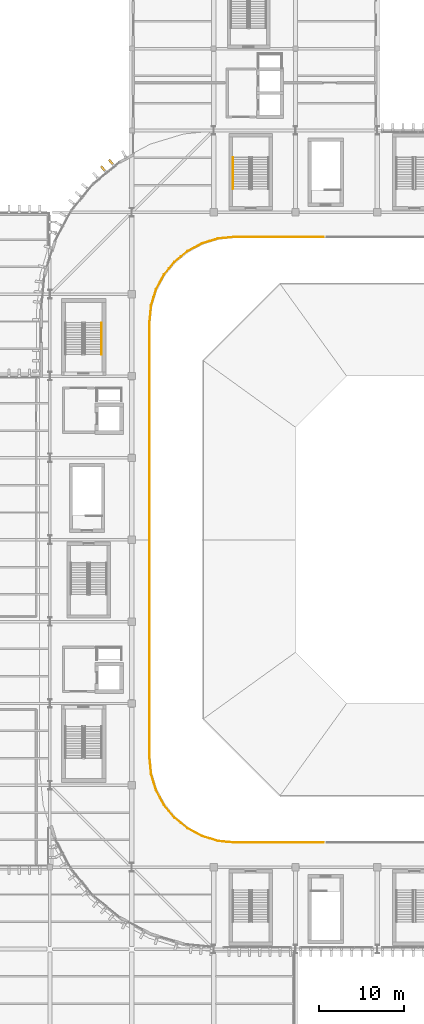
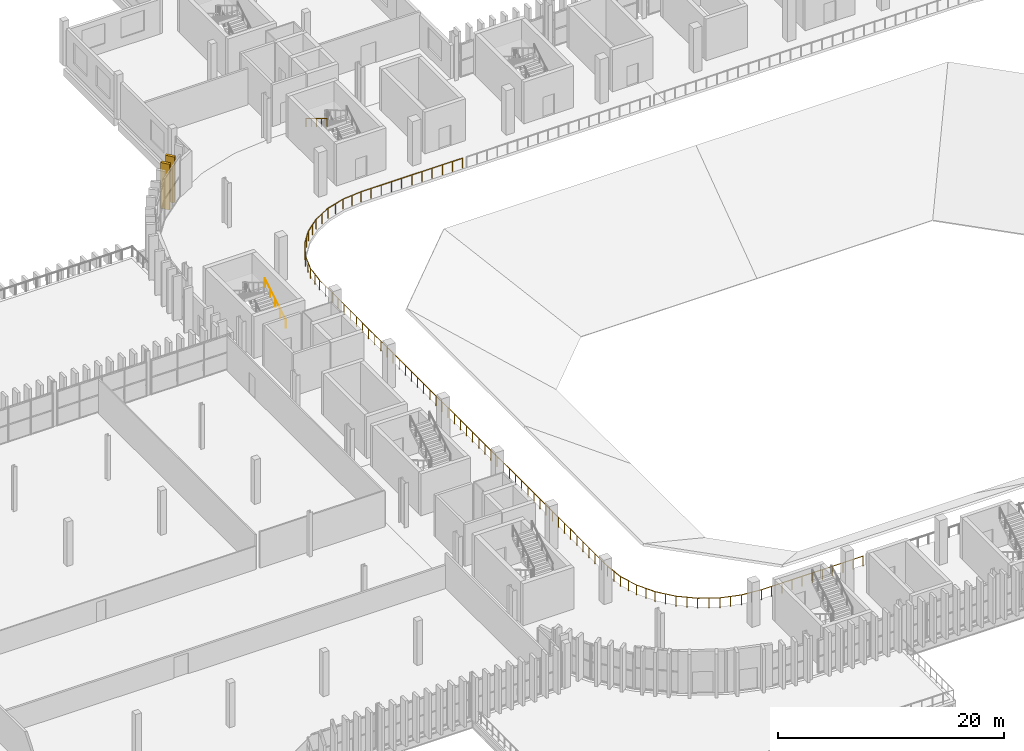
# One storey, part 87 of 99: 3 railings, 2 coverings.
"""IFC4 building model written with IfcOpenShell, lengths in metres."""

import ifcopenshell
import ifcopenshell.guid

model = None  # the IFC model being written
_history = None  # IfcOwnerHistory: only IFC2X3 demands one
_inside = {}  # id of a spatial element -> (the spatial element, [elements in it])
_under = {}  # id of a project, library or spatial element -> (it, [spatial elements below it])
_declared = {}  # id of a project -> (the project, [libraries it declares])
_typed = {}  # id of a type object -> (the type object, [elements of that type])
_made_of = {}  # id of a material, layer set ... -> (it, [elements and type objects made of it])


def new_model(schema):
    """Start an empty IFC model of exactly this schema.

    Asked for "IFC4X3", IfcOpenShell would pick the latest addendum, in which some entities
    have other attributes; the version numbers below select the first issue.
    IFC2X3 requires an IfcOwnerHistory on every rooted entity: one is made here for all.
    """
    global model, _history
    if schema == "IFC4X3":
        model = ifcopenshell.file(schema_version=(4, 3, 0, 0))
    else:
        model = ifcopenshell.file(schema=schema)
    _inside.clear()
    _under.clear()
    _declared.clear()
    _typed.clear()
    _made_of.clear()
    _history = None
    if model.schema == "IFC2X3":
        org = make("IfcOrganization", Name="unknown")
        user = make(
            "IfcPersonAndOrganization",
            ThePerson=make("IfcPerson", FamilyName="unknown"),
            TheOrganization=org,
        )
        app = make(
            "IfcApplication",
            ApplicationDeveloper=org,
            Version="unknown",
            ApplicationFullName="unknown",
            ApplicationIdentifier="unknown",
        )
        _history = make(
            "IfcOwnerHistory",
            OwningUser=user,
            OwningApplication=app,
            ChangeAction="ADDED",
            CreationDate=0,
        )
    return model


def make(cls, **values):
    """One entity of the class cls with the attributes given. An attribute that is None is left unset."""
    return model.create_entity(
        cls, **{name: value for name, value in values.items() if value is not None}
    )


def rooted(cls, **values):
    """An entity with a GlobalId (a new one), such as an element, a storey or a relation."""
    return make(cls, GlobalId=ifcopenshell.guid.new(), OwnerHistory=_history, **values)


def si_unit(unit_type, name, prefix=None):
    """IfcSIUnit, for example si_unit("LENGTHUNIT", "METRE", prefix="MILLI")."""
    return make("IfcSIUnit", UnitType=unit_type, Prefix=prefix, Name=name)


def assignment(units):
    """IfcUnitAssignment: the units of a project."""
    return None if units is None else make("IfcUnitAssignment", Units=units)


def point(xyz):
    """IfcCartesianPoint."""
    return None if xyz is None else make("IfcCartesianPoint", Coordinates=xyz)


def direction(xyz):
    """IfcDirection."""
    return None if xyz is None else make("IfcDirection", DirectionRatios=xyz)


def frame(location, z_axis=None, x_axis=None):
    """IfcAxis2Placement3D, a coordinate frame: its origin and axes. An axis left out is left unset."""
    return make(
        "IfcAxis2Placement3D",
        Location=point(location),
        Axis=direction(z_axis),
        RefDirection=direction(x_axis),
    )


def frame_2d(location, x_axis=None):
    """IfcAxis2Placement2D, a coordinate frame in the plane: its origin and x axis."""
    return make(
        "IfcAxis2Placement2D", Location=point(location), RefDirection=direction(x_axis)
    )


def origin():
    """The frame at (0, 0, 0) with its axes left unset."""
    return frame((0.0, 0.0, 0.0))


def origin_2d():
    """The frame at (0, 0) in the plane with its x axis left unset."""
    return frame_2d((0.0, 0.0))


def place(relative_to, where):
    """IfcLocalPlacement: puts the frame where relative to a parent placement (None: the world)."""
    return make(
        "IfcLocalPlacement", PlacementRelTo=relative_to, RelativePlacement=where
    )


def context(
    kind, dimensions, precision=None, world=None, true_north=None, identifier=None
):
    """IfcGeometricRepresentationContext, for example the 3D "Model" context."""
    return make(
        "IfcGeometricRepresentationContext",
        ContextIdentifier=identifier,
        ContextType=kind,
        CoordinateSpaceDimension=dimensions,
        Precision=precision,
        WorldCoordinateSystem=world,
        TrueNorth=true_north,
    )


def subcontext(parent, identifier, kind, view, scale=None):
    """IfcGeometricRepresentationSubContext, for example "Body" below "Model"."""
    return make(
        "IfcGeometricRepresentationSubContext",
        ContextIdentifier=identifier,
        ContextType=kind,
        ParentContext=parent,
        TargetScale=scale,
        TargetView=view,
    )


def project(units=None, contexts=None):
    """IfcProject with its units and contexts."""
    return rooted(
        "IfcProject",
        Name="project",
        RepresentationContexts=contexts,
        UnitsInContext=assignment(units),
    )


def spatial(cls, under=None, at=None, **own):
    """A site, building, storey or space (cls), placed at a placement, below another one or the project."""
    s = rooted(cls, ObjectPlacement=at, **own)
    if under is not None:
        _under.setdefault(under.id(), (under, []))[1].append(s)
    return s


def profile(cls, at=None, kind="AREA", **sizes):
    """A parametric profile (cls). Its sizes go by their IFC names, for example OverallWidth=200.0."""
    return make(cls, ProfileType=kind, Position=at, **sizes)


def rectangle(**sizes):
    """IfcRectangleProfileDef."""
    return profile("IfcRectangleProfileDef", **sizes)


def circle(**sizes):
    """IfcCircleProfileDef."""
    return profile("IfcCircleProfileDef", **sizes)


def extrude(swept, where, along, depth):
    """IfcExtrudedAreaSolid: the profile swept, set in the frame where, extruded along a direction by depth."""
    return make(
        "IfcExtrudedAreaSolid",
        SweptArea=swept,
        Position=where,
        ExtrudedDirection=direction(along),
        Depth=depth,
    )


def shape(context_of_items, identifier, shape_type, items):
    """IfcShapeRepresentation: the items that make up one representation, for example the "Body"."""
    return make(
        "IfcShapeRepresentation",
        ContextOfItems=context_of_items,
        RepresentationIdentifier=identifier,
        RepresentationType=shape_type,
        Items=items,
    )


def material(Name=None, Category=None):
    """IfcMaterial."""
    return make("IfcMaterial", Name=Name, Category=Category)


def material_profile(
    of_material, cross_section, Name=None, Category=None, Priority=None
):
    """IfcMaterialProfile: a cross section and its material."""
    return make(
        "IfcMaterialProfile",
        Name=Name,
        Material=of_material,
        Profile=cross_section,
        Priority=Priority,
        Category=Category,
    )


def profile_set(profiles, Name=None, composite=None):
    """IfcMaterialProfileSet."""
    return make(
        "IfcMaterialProfileSet",
        Name=Name,
        MaterialProfiles=profiles,
        CompositeProfile=composite,
    )


def made_of(thing, what):
    """Note that an element or type object is made of a material, layer set ...; save() writes the relation."""
    if what is not None:
        _made_of.setdefault(what.id(), (what, []))[1].append(thing)
    return thing


def type_object(cls, material=None, **own):
    """A type object (cls), such as IfcWallType, which elements share."""
    return made_of(rooted(cls, **own), material)


def element(
    cls,
    number,
    at=None,
    inside=None,
    cuts=None,
    type_object=None,
    material=None,
    context=None,
    identifier="Body",
    shape_type=None,
    held_by="IfcProductDefinitionShape",
    body=None,
    shapes=None,
    **own,
):
    """One element of the class cls, such as IfcWall. Its Tag is "e" and its number.

    at: its placement. inside: the storey or other place that contains it. cuts: it is an
    opening in that element (IfcRelVoidsElement). A single representation is given by context,
    identifier, shape_type and body (its items); several are given by shapes. held_by: the class
    of the entity that holds the representations. save() writes the other relations.
    """
    e = rooted(cls, Tag="e%d" % number, ObjectPlacement=at, **own)
    if body is not None:
        shapes = [shape(context, identifier, shape_type, body)]
    if shapes is not None:
        e.Representation = make(held_by, Representations=shapes)
    if inside is not None:
        _inside.setdefault(inside.id(), (inside, []))[1].append(e)
    if cuts is not None:
        rooted(
            "IfcRelVoidsElement", RelatingBuildingElement=cuts, RelatedOpeningElement=e
        )
    if type_object is not None:
        _typed.setdefault(type_object.id(), (type_object, []))[1].append(e)
    return made_of(e, material)


def aggregate(whole, parts):
    """IfcRelAggregates: a whole, such as a stair, and the parts it consists of."""
    return rooted("IfcRelAggregates", RelatingObject=whole, RelatedObjects=parts)


def save(model, path):
    """Write the relations noted so far, then the file.

    IfcRelAggregates (storeys below a building ...), IfcRelContainedInSpatialStructure (elements
    in a storey), IfcRelDefinesByType, IfcRelAssociatesMaterial and IfcRelDeclares: one each for
    every whole, place, type object, material and project.
    """
    for whole, parts in _under.values():
        aggregate(whole, parts)
    for where, things in _inside.values():
        rooted(
            "IfcRelContainedInSpatialStructure",
            RelatedElements=things,
            RelatingStructure=where,
        )
    for kind, things in _typed.values():
        rooted("IfcRelDefinesByType", RelatedObjects=things, RelatingType=kind)
    for what, things in _made_of.values():
        rooted("IfcRelAssociatesMaterial", RelatedObjects=things, RelatingMaterial=what)
    for by, libraries in _declared.values():
        rooted("IfcRelDeclares", RelatingContext=by, RelatedDefinitions=libraries)
    model.write(path)


model = new_model("IFC4")

# Units and contexts
model_context = context("Model", 3, precision=1e-05, world=origin(), true_north=direction((0.0, 1.0)))
body_context = subcontext(model_context, "Body", "Model", "MODEL_VIEW")
ifc_project = project(units=[si_unit("LENGTHUNIT", "METRE"), si_unit("AREAUNIT", "SQUARE_METRE"), si_unit("VOLUMEUNIT", "CUBIC_METRE"), si_unit("PLANEANGLEUNIT", "RADIAN"), si_unit("MASSUNIT", "GRAM", prefix="KILO")], contexts=[model_context])

# Site, building, storey
site_placement = place(None, origin())
site = spatial("IfcSite", under=ifc_project, at=site_placement, CompositionType="ELEMENT")
building_placement = place(site_placement, origin())
building = spatial("IfcBuilding", under=site, at=building_placement, Name="Caelomonte Colonnade Arena", CompositionType="ELEMENT")
storey_placement = place(building_placement, frame((0.0, 0.0, 4.800048828125)))
storey = spatial("IfcBuildingStorey", under=building, at=storey_placement, Name="L01", CompositionType="ELEMENT", Elevation=4.800048828125)

# Coverings
ifc_material_1 = material(Name="Precast travertine cladding", Category="masonry")
ifc_material_profile = material_profile(ifc_material_1, rectangle(XDim=0.260009765625, YDim=0.85009765625, at=origin_2d()), Name="FIN260X850")
ifc_profile_set = profile_set([ifc_material_profile], Name="Precast travertine cladding")
covering_type = type_object("IfcCoveringType", Name="ENV-FN-SHAFT", PredefinedType="CLADDING", material=ifc_profile_set)
for number, where, z_axis, x_axis, name in (
    (1, (64.802490234375, 111.44189453125, -0.16015625), (0.0, 0.0, 1.0), (0.77299384472, 0.634413521313, 0.0), "V1 L01 classical travertine vertical fin 156"),
    (2, (63.874755859375, 110.680419921875, -0.16015625), (0.0, 0.0, 1.0), (0.77299384472, 0.634413521313, 0.0), "V1 L01 classical travertine vertical fin 157"),
):
    element("IfcCovering", number, at=place(storey_placement, frame(where, z_axis=z_axis, x_axis=x_axis)), inside=storey, type_object=covering_type, Name=name, PredefinedType="CLADDING", context=body_context, shape_type="SweptSolid", body=[
        extrude(rectangle(XDim=0.260009765625, YDim=0.85009765625, at=origin_2d()), origin(), (0.0, 0.0, 1.0), 4.960205078125),
    ])

# Railings
ifc_material_2 = material(Name="Painted galvanized steel handrail and posts", Category="steel")
railing_type_1 = type_object("IfcRailingType", Name="ENV-RL-GRD1", PredefinedType="GUARDRAIL", material=ifc_material_2)
railing_1_placement = place(storey_placement, frame((89.693115234375, 102.719970703125, 0.0)))
element("IfcRailing", 3, at=railing_1_placement, inside=storey, type_object=railing_type_1, Name="L01 lower concourse bowl guard 3", PredefinedType="GUARDRAIL", context=body_context, shape_type="SweptSolid", body=[
    extrude(circle(Radius=0.02392578125, at=origin_2d()), frame((0.0, 0.0, 1.076171875), z_axis=(-1.0, 0.0, 0.0), x_axis=(0.0, -1.0, 0.0)), (0.0, 0.0, 1.0), 10.3818359375),
    extrude(circle(Radius=0.02392578125, at=origin_2d()), frame((-10.444091796875, -0.003173828125, 1.076171875), z_axis=(-0.995185270943, -0.098011614095, 0.0), x_axis=(0.098011614095, -0.995185270943, 0.0)), (0.0, 0.0, 1.0), 1.89794921875),
    extrude(circle(Radius=0.02392578125, at=origin_2d()), frame((-12.39404296875, -0.201171875, 1.076171875), z_axis=(-0.956937426882, -0.290294266276, 0.0), x_axis=(0.290294266276, -0.956937426882, 0.0)), (0.0, 0.0, 1.0), 1.89794921875),
    extrude(circle(Radius=0.02392578125, at=origin_2d()), frame((-14.267578125, -0.77587890625, 1.076171875), z_axis=(-0.881914706722, -0.471409005076, 0.0), x_axis=(0.471409005076, -0.881914706722, 0.0)), (0.0, 0.0, 1.0), 1.897705078125),
    extrude(circle(Radius=0.02392578125, at=origin_2d()), frame((-15.992919921875, -1.705078125, 1.076171875), z_axis=(-0.773007598499, -0.634396762809, 0.0), x_axis=(0.634396762809, -0.773007598499, 0.0)), (0.0, 0.0, 1.0), 1.89794921875),
    extrude(circle(Radius=0.02392578125, at=origin_2d()), frame((-17.50390625, -2.953125, 1.076171875), z_axis=(-0.634396762809, -0.773007598499, 0.0), x_axis=(0.773007598499, -0.634396762809, 0.0)), (0.0, 0.0, 1.0), 1.89794921875),
    extrude(circle(Radius=0.02392578125, at=origin_2d()), frame((-18.742431640625, -4.471923828125, 1.076171875), z_axis=(-0.471409005076, -0.881914706722, 0.0), x_axis=(0.881914706722, -0.471409005076, 0.0)), (0.0, 0.0, 1.0), 1.897705078125),
    extrude(circle(Radius=0.02392578125, at=origin_2d()), frame((-19.660888671875, -6.203125, 1.076171875), z_axis=(-0.290294266276, -0.956937426882, 0.0), x_axis=(0.956937426882, -0.290294266276, 0.0)), (0.0, 0.0, 1.0), 1.89794921875),
    extrude(circle(Radius=0.02392578125, at=origin_2d()), frame((-20.22412109375, -8.080078125, 1.076171875), z_axis=(-0.098011614095, -0.995185270943, 0.0), x_axis=(0.995185270943, -0.098011614095, 0.0)), (0.0, 0.0, 1.0), 1.89794921875),
    extrude(circle(Radius=0.02392578125, at=origin_2d()), frame((-20.4130859375, -10.03125, 1.076171875), z_axis=(0.0, -1.0, 0.0), x_axis=(1.0, 0.0, 0.0)), (0.0, 0.0, 1.0), 50.9775390625),
    extrude(circle(Radius=0.02392578125, at=origin_2d()), frame((-20.409912109375, -61.071044921875, 1.076171875), z_axis=(0.098011614095, -0.995185270943, 0.0), x_axis=(0.995185270943, 0.098011614095, 0.0)), (0.0, 0.0, 1.0), 1.89794921875),
    extrude(circle(Radius=0.02392578125, at=origin_2d()), frame((-20.2119140625, -63.02099609375, 1.076171875), z_axis=(0.290328865595, -0.956926930231, 0.0), x_axis=(0.956926930231, 0.290328865595, 0.0)), (0.0, 0.0, 1.0), 1.897705078125),
    extrude(circle(Radius=0.02392578125, at=origin_2d()), frame((-19.63720703125, -64.894287109375, 1.076171875), z_axis=(0.471357230618, -0.881942379719, 0.0), x_axis=(0.881942379719, 0.471357230618, 0.0)), (0.0, 0.0, 1.0), 1.89794921875),
    extrude(circle(Radius=0.02392578125, at=origin_2d()), frame((-18.7080078125, -66.619873046875, 1.076171875), z_axis=(0.634396762809, -0.773007598499, 0.0), x_axis=(0.773007598499, 0.634396762809, 0.0)), (0.0, 0.0, 1.0), 1.89794921875),
    extrude(circle(Radius=0.02392578125, at=origin_2d()), frame((-17.4599609375, -68.130859375, 1.076171875), z_axis=(0.773007598499, -0.634396762809, 0.0), x_axis=(0.634396762809, 0.773007598499, 0.0)), (0.0, 0.0, 1.0), 1.89794921875),
    extrude(circle(Radius=0.02392578125, at=origin_2d()), frame((-15.941162109375, -69.369384765625, 1.076171875), z_axis=(0.881914706722, -0.471409005076, 0.0), x_axis=(0.471409005076, 0.881914706722, 0.0)), (0.0, 0.0, 1.0), 1.897705078125),
    extrude(circle(Radius=0.02392578125, at=origin_2d()), frame((-14.2099609375, -70.287841796875, 1.076171875), z_axis=(0.956937426882, -0.290294266276, 0.0), x_axis=(0.290294266276, 0.956937426882, 0.0)), (0.0, 0.0, 1.0), 1.89794921875),
    extrude(circle(Radius=0.02392578125, at=origin_2d()), frame((-12.3330078125, -70.85107421875, 1.076171875), z_axis=(0.995185270943, -0.098011614095, 0.0), x_axis=(0.098011614095, 0.995185270943, 0.0)), (0.0, 0.0, 1.0), 1.89794921875),
    extrude(circle(Radius=0.02392578125, at=origin_2d()), frame((-10.3818359375, -71.0400390625, 1.076171875), z_axis=(1.0, 0.0, 0.0), x_axis=(0.0, 1.0, 0.0)), (0.0, 0.0, 1.0), 10.3818359375),
    extrude(circle(Radius=0.02099609375, at=origin_2d()), origin(), (0.0, 0.0, 1.0), 1.048095703125),
    extrude(circle(Radius=0.02099609375, at=origin_2d()), frame((-1.041259765625, 0.0, 0.0)), (0.0, 0.0, 1.0), 1.048095703125),
    extrude(circle(Radius=0.02099609375, at=origin_2d()), frame((-2.08251953125, 0.0, 0.0)), (0.0, 0.0, 1.0), 1.048095703125),
    extrude(circle(Radius=0.02099609375, at=origin_2d()), frame((-3.1240234375, 0.0, 0.0)), (0.0, 0.0, 1.0), 1.048095703125),
    extrude(circle(Radius=0.02099609375, at=origin_2d()), frame((-4.165283203125, 0.0, 0.0)), (0.0, 0.0, 1.0), 1.048095703125),
    extrude(circle(Radius=0.02099609375, at=origin_2d()), frame((-5.20654296875, 0.0, 0.0)), (0.0, 0.0, 1.0), 1.048095703125),
    extrude(circle(Radius=0.02099609375, at=origin_2d()), frame((-6.247802734375, 0.0, 0.0)), (0.0, 0.0, 1.0), 1.048095703125),
    extrude(circle(Radius=0.02099609375, at=origin_2d()), frame((-7.2890625, 0.0, 0.0)), (0.0, 0.0, 1.0), 1.048095703125),
    extrude(circle(Radius=0.02099609375, at=origin_2d()), frame((-8.33056640625, 0.0, 0.0)), (0.0, 0.0, 1.0), 1.048095703125),
    extrude(circle(Radius=0.02099609375, at=origin_2d()), frame((-9.371826171875, 0.0, 0.0)), (0.0, 0.0, 1.0), 1.048095703125),
    extrude(circle(Radius=0.02099609375, at=origin_2d()), frame((-10.4130859375, 0.0, 0.0)), (0.0, 0.0, 1.0), 1.048095703125),
    extrude(circle(Radius=0.02099609375, at=origin_2d()), frame((-11.388671875, -0.09619140625, 0.0)), (0.0, 0.0, 1.0), 1.048095703125),
    extrude(circle(Radius=0.02099609375, at=origin_2d()), frame((-12.364013671875, -0.192138671875, 0.0)), (0.0, 0.0, 1.0), 1.048095703125),
    extrude(circle(Radius=0.02099609375, at=origin_2d()), frame((-13.302001953125, -0.4765625, 0.0)), (0.0, 0.0, 1.0), 1.048095703125),
    extrude(circle(Radius=0.02099609375, at=origin_2d()), frame((-14.239990234375, -0.76123046875, 0.0)), (0.0, 0.0, 1.0), 1.048095703125),
    extrude(circle(Radius=0.02099609375, at=origin_2d()), frame((-15.1044921875, -1.22314453125, 0.0)), (0.0, 0.0, 1.0), 1.048095703125),
    extrude(circle(Radius=0.02099609375, at=origin_2d()), frame((-15.96875, -1.685302734375, 0.0)), (0.0, 0.0, 1.0), 1.048095703125),
    extrude(circle(Radius=0.02099609375, at=origin_2d()), frame((-16.7265625, -2.30712890625, 0.0)), (0.0, 0.0, 1.0), 1.048095703125),
    extrude(circle(Radius=0.02099609375, at=origin_2d()), frame((-17.484130859375, -2.928955078125, 0.0)), (0.0, 0.0, 1.0), 1.048095703125),
    extrude(circle(Radius=0.02099609375, at=origin_2d()), frame((-18.10595703125, -3.6865234375, 0.0)), (0.0, 0.0, 1.0), 1.048095703125),
    extrude(circle(Radius=0.02099609375, at=origin_2d()), frame((-18.727783203125, -4.4443359375, 0.0)), (0.0, 0.0, 1.0), 1.048095703125),
    extrude(circle(Radius=0.02099609375, at=origin_2d()), frame((-19.18994140625, -5.30859375, 0.0)), (0.0, 0.0, 1.0), 1.048095703125),
    extrude(circle(Radius=0.02099609375, at=origin_2d()), frame((-19.65185546875, -6.173095703125, 0.0)), (0.0, 0.0, 1.0), 1.048095703125),
    extrude(circle(Radius=0.02099609375, at=origin_2d()), frame((-19.9365234375, -7.111083984375, 0.0)), (0.0, 0.0, 1.0), 1.048095703125),
    extrude(circle(Radius=0.02099609375, at=origin_2d()), frame((-20.220947265625, -8.049072265625, 0.0)), (0.0, 0.0, 1.0), 1.048095703125),
    extrude(circle(Radius=0.02099609375, at=origin_2d()), frame((-20.31689453125, -9.0244140625, 0.0)), (0.0, 0.0, 1.0), 1.048095703125),
    extrude(circle(Radius=0.02099609375, at=origin_2d()), frame((-20.4130859375, -10.0, 0.0)), (0.0, 0.0, 1.0), 1.048095703125),
    extrude(circle(Radius=0.02099609375, at=origin_2d()), frame((-20.4130859375, -11.0859375, 0.0)), (0.0, 0.0, 1.0), 1.048095703125),
    extrude(circle(Radius=0.02099609375, at=origin_2d()), frame((-20.4130859375, -12.171875, 0.0)), (0.0, 0.0, 1.0), 1.048095703125),
    extrude(circle(Radius=0.02099609375, at=origin_2d()), frame((-20.4130859375, -13.2578125, 0.0)), (0.0, 0.0, 1.0), 1.048095703125),
    extrude(circle(Radius=0.02099609375, at=origin_2d()), frame((-20.4130859375, -14.34375, 0.0)), (0.0, 0.0, 1.0), 1.048095703125),
    extrude(circle(Radius=0.02099609375, at=origin_2d()), frame((-20.4130859375, -15.4296875, 0.0)), (0.0, 0.0, 1.0), 1.048095703125),
    extrude(circle(Radius=0.02099609375, at=origin_2d()), frame((-20.4130859375, -16.515869140625, 0.0)), (0.0, 0.0, 1.0), 1.048095703125),
    extrude(circle(Radius=0.02099609375, at=origin_2d()), frame((-20.4130859375, -17.601806640625, 0.0)), (0.0, 0.0, 1.0), 1.048095703125),
    extrude(circle(Radius=0.02099609375, at=origin_2d()), frame((-20.4130859375, -18.687744140625, 0.0)), (0.0, 0.0, 1.0), 1.048095703125),
    extrude(circle(Radius=0.02099609375, at=origin_2d()), frame((-20.4130859375, -19.773681640625, 0.0)), (0.0, 0.0, 1.0), 1.048095703125),
    extrude(circle(Radius=0.02099609375, at=origin_2d()), frame((-20.4130859375, -20.859619140625, 0.0)), (0.0, 0.0, 1.0), 1.048095703125),
    extrude(circle(Radius=0.02099609375, at=origin_2d()), frame((-20.4130859375, -21.945556640625, 0.0)), (0.0, 0.0, 1.0), 1.048095703125),
    extrude(circle(Radius=0.02099609375, at=origin_2d()), frame((-20.4130859375, -23.031494140625, 0.0)), (0.0, 0.0, 1.0), 1.048095703125),
    extrude(circle(Radius=0.02099609375, at=origin_2d()), frame((-20.4130859375, -24.117431640625, 0.0)), (0.0, 0.0, 1.0), 1.048095703125),
    extrude(circle(Radius=0.02099609375, at=origin_2d()), frame((-20.4130859375, -25.203369140625, 0.0)), (0.0, 0.0, 1.0), 1.048095703125),
    extrude(circle(Radius=0.02099609375, at=origin_2d()), frame((-20.4130859375, -26.289306640625, 0.0)), (0.0, 0.0, 1.0), 1.048095703125),
    extrude(circle(Radius=0.02099609375, at=origin_2d()), frame((-20.4130859375, -27.375244140625, 0.0)), (0.0, 0.0, 1.0), 1.048095703125),
    extrude(circle(Radius=0.02099609375, at=origin_2d()), frame((-20.4130859375, -28.461181640625, 0.0)), (0.0, 0.0, 1.0), 1.048095703125),
    extrude(circle(Radius=0.02099609375, at=origin_2d()), frame((-20.4130859375, -29.54736328125, 0.0)), (0.0, 0.0, 1.0), 1.048095703125),
    extrude(circle(Radius=0.02099609375, at=origin_2d()), frame((-20.4130859375, -30.63330078125, 0.0)), (0.0, 0.0, 1.0), 1.048095703125),
    extrude(circle(Radius=0.02099609375, at=origin_2d()), frame((-20.4130859375, -31.71923828125, 0.0)), (0.0, 0.0, 1.0), 1.048095703125),
    extrude(circle(Radius=0.02099609375, at=origin_2d()), frame((-20.4130859375, -32.80517578125, 0.0)), (0.0, 0.0, 1.0), 1.048095703125),
    extrude(circle(Radius=0.02099609375, at=origin_2d()), frame((-20.4130859375, -33.89111328125, 0.0)), (0.0, 0.0, 1.0), 1.048095703125),
    extrude(circle(Radius=0.02099609375, at=origin_2d()), frame((-20.4130859375, -34.97705078125, 0.0)), (0.0, 0.0, 1.0), 1.048095703125),
    extrude(circle(Radius=0.02099609375, at=origin_2d()), frame((-20.4130859375, -36.06298828125, 0.0)), (0.0, 0.0, 1.0), 1.048095703125),
    extrude(circle(Radius=0.02099609375, at=origin_2d()), frame((-20.4130859375, -37.14892578125, 0.0)), (0.0, 0.0, 1.0), 1.048095703125),
    extrude(circle(Radius=0.02099609375, at=origin_2d()), frame((-20.4130859375, -38.23486328125, 0.0)), (0.0, 0.0, 1.0), 1.048095703125),
    extrude(circle(Radius=0.02099609375, at=origin_2d()), frame((-20.4130859375, -39.32080078125, 0.0)), (0.0, 0.0, 1.0), 1.048095703125),
    extrude(circle(Radius=0.02099609375, at=origin_2d()), frame((-20.4130859375, -40.40673828125, 0.0)), (0.0, 0.0, 1.0), 1.048095703125),
    extrude(circle(Radius=0.02099609375, at=origin_2d()), frame((-20.4130859375, -41.49267578125, 0.0)), (0.0, 0.0, 1.0), 1.048095703125),
    extrude(circle(Radius=0.02099609375, at=origin_2d()), frame((-20.4130859375, -42.578857421875, 0.0)), (0.0, 0.0, 1.0), 1.048095703125),
    extrude(circle(Radius=0.02099609375, at=origin_2d()), frame((-20.4130859375, -43.664794921875, 0.0)), (0.0, 0.0, 1.0), 1.048095703125),
    extrude(circle(Radius=0.02099609375, at=origin_2d()), frame((-20.4130859375, -44.750732421875, 0.0)), (0.0, 0.0, 1.0), 1.048095703125),
    extrude(circle(Radius=0.02099609375, at=origin_2d()), frame((-20.4130859375, -45.836669921875, 0.0)), (0.0, 0.0, 1.0), 1.048095703125),
    extrude(circle(Radius=0.02099609375, at=origin_2d()), frame((-20.4130859375, -46.922607421875, 0.0)), (0.0, 0.0, 1.0), 1.048095703125),
    extrude(circle(Radius=0.02099609375, at=origin_2d()), frame((-20.4130859375, -48.008544921875, 0.0)), (0.0, 0.0, 1.0), 1.048095703125),
    extrude(circle(Radius=0.02099609375, at=origin_2d()), frame((-20.4130859375, -49.094482421875, 0.0)), (0.0, 0.0, 1.0), 1.048095703125),
    extrude(circle(Radius=0.02099609375, at=origin_2d()), frame((-20.4130859375, -50.180419921875, 0.0)), (0.0, 0.0, 1.0), 1.048095703125),
    extrude(circle(Radius=0.02099609375, at=origin_2d()), frame((-20.4130859375, -51.266357421875, 0.0)), (0.0, 0.0, 1.0), 1.048095703125),
    extrude(circle(Radius=0.02099609375, at=origin_2d()), frame((-20.4130859375, -52.352294921875, 0.0)), (0.0, 0.0, 1.0), 1.048095703125),
    extrude(circle(Radius=0.02099609375, at=origin_2d()), frame((-20.4130859375, -53.438232421875, 0.0)), (0.0, 0.0, 1.0), 1.048095703125),
    extrude(circle(Radius=0.02099609375, at=origin_2d()), frame((-20.4130859375, -54.524169921875, 0.0)), (0.0, 0.0, 1.0), 1.048095703125),
    extrude(circle(Radius=0.02099609375, at=origin_2d()), frame((-20.4130859375, -55.6103515625, 0.0)), (0.0, 0.0, 1.0), 1.048095703125),
    extrude(circle(Radius=0.02099609375, at=origin_2d()), frame((-20.4130859375, -56.6962890625, 0.0)), (0.0, 0.0, 1.0), 1.048095703125),
    extrude(circle(Radius=0.02099609375, at=origin_2d()), frame((-20.4130859375, -57.7822265625, 0.0)), (0.0, 0.0, 1.0), 1.048095703125),
    extrude(circle(Radius=0.02099609375, at=origin_2d()), frame((-20.4130859375, -58.8681640625, 0.0)), (0.0, 0.0, 1.0), 1.048095703125),
    extrude(circle(Radius=0.02099609375, at=origin_2d()), frame((-20.4130859375, -59.9541015625, 0.0)), (0.0, 0.0, 1.0), 1.048095703125),
    extrude(circle(Radius=0.02099609375, at=origin_2d()), frame((-20.4130859375, -61.0400390625, 0.0)), (0.0, 0.0, 1.0), 1.048095703125),
    extrude(circle(Radius=0.02099609375, at=origin_2d()), frame((-20.31689453125, -62.015625, 0.0)), (0.0, 0.0, 1.0), 1.048095703125),
    extrude(circle(Radius=0.02099609375, at=origin_2d()), frame((-20.220947265625, -62.990966796875, 0.0)), (0.0, 0.0, 1.0), 1.048095703125),
    extrude(circle(Radius=0.02099609375, at=origin_2d()), frame((-19.9365234375, -63.9287109375, 0.0)), (0.0, 0.0, 1.0), 1.048095703125),
    extrude(circle(Radius=0.02099609375, at=origin_2d()), frame((-19.65185546875, -64.86669921875, 0.0)), (0.0, 0.0, 1.0), 1.048095703125),
    extrude(circle(Radius=0.02099609375, at=origin_2d()), frame((-19.18994140625, -65.731201171875, 0.0)), (0.0, 0.0, 1.0), 1.048095703125),
    extrude(circle(Radius=0.02099609375, at=origin_2d()), frame((-18.727783203125, -66.595703125, 0.0)), (0.0, 0.0, 1.0), 1.048095703125),
    extrude(circle(Radius=0.02099609375, at=origin_2d()), frame((-18.10595703125, -67.353515625, 0.0)), (0.0, 0.0, 1.0), 1.048095703125),
    extrude(circle(Radius=0.02099609375, at=origin_2d()), frame((-17.484130859375, -68.111083984375, 0.0)), (0.0, 0.0, 1.0), 1.048095703125),
    extrude(circle(Radius=0.02099609375, at=origin_2d()), frame((-16.7265625, -68.73291015625, 0.0)), (0.0, 0.0, 1.0), 1.048095703125),
    extrude(circle(Radius=0.02099609375, at=origin_2d()), frame((-15.96875, -69.354736328125, 0.0)), (0.0, 0.0, 1.0), 1.048095703125),
    extrude(circle(Radius=0.02099609375, at=origin_2d()), frame((-15.1044921875, -69.81689453125, 0.0)), (0.0, 0.0, 1.0), 1.048095703125),
    extrude(circle(Radius=0.02099609375, at=origin_2d()), frame((-14.239990234375, -70.27880859375, 0.0)), (0.0, 0.0, 1.0), 1.048095703125),
    extrude(circle(Radius=0.02099609375, at=origin_2d()), frame((-13.302001953125, -70.5634765625, 0.0)), (0.0, 0.0, 1.0), 1.048095703125),
    extrude(circle(Radius=0.02099609375, at=origin_2d()), frame((-12.364013671875, -70.847900390625, 0.0)), (0.0, 0.0, 1.0), 1.048095703125),
    extrude(circle(Radius=0.02099609375, at=origin_2d()), frame((-11.388671875, -70.94384765625, 0.0)), (0.0, 0.0, 1.0), 1.048095703125),
    extrude(circle(Radius=0.02099609375, at=origin_2d()), frame((-10.4130859375, -71.0400390625, 0.0)), (0.0, 0.0, 1.0), 1.048095703125),
    extrude(circle(Radius=0.02099609375, at=origin_2d()), frame((-9.371826171875, -71.0400390625, 0.0)), (0.0, 0.0, 1.0), 1.048095703125),
    extrude(circle(Radius=0.02099609375, at=origin_2d()), frame((-8.33056640625, -71.0400390625, 0.0)), (0.0, 0.0, 1.0), 1.048095703125),
    extrude(circle(Radius=0.02099609375, at=origin_2d()), frame((-7.2890625, -71.0400390625, 0.0)), (0.0, 0.0, 1.0), 1.048095703125),
    extrude(circle(Radius=0.02099609375, at=origin_2d()), frame((-6.247802734375, -71.0400390625, 0.0)), (0.0, 0.0, 1.0), 1.048095703125),
    extrude(circle(Radius=0.02099609375, at=origin_2d()), frame((-5.20654296875, -71.0400390625, 0.0)), (0.0, 0.0, 1.0), 1.048095703125),
    extrude(circle(Radius=0.02099609375, at=origin_2d()), frame((-4.165283203125, -71.0400390625, 0.0)), (0.0, 0.0, 1.0), 1.048095703125),
    extrude(circle(Radius=0.02099609375, at=origin_2d()), frame((-3.1240234375, -71.0400390625, 0.0)), (0.0, 0.0, 1.0), 1.048095703125),
    extrude(circle(Radius=0.02099609375, at=origin_2d()), frame((-2.08251953125, -71.0400390625, 0.0)), (0.0, 0.0, 1.0), 1.048095703125),
    extrude(circle(Radius=0.02099609375, at=origin_2d()), frame((-1.041259765625, -71.0400390625, 0.0)), (0.0, 0.0, 1.0), 1.048095703125),
    extrude(circle(Radius=0.02099609375, at=origin_2d()), frame((0.0, -71.0400390625, 0.0)), (0.0, 0.0, 1.0), 1.048095703125),
])
ifc_material_3 = material(Name="Brushed stainless steel stair handrail", Category="steel")
railing_type_2 = type_object("IfcRailingType", Name="INT-RL-HR", PredefinedType="HANDRAIL", material=ifc_material_3)
railing_2_placement = place(storey_placement, frame((63.64990234375, 88.949951171875, 0.17138671875)))
element("IfcRailing", 4, at=railing_2_placement, inside=storey, type_object=railing_type_2, Name="L01 ST-04 stair handrail 1", PredefinedType="HANDRAIL", context=body_context, shape_type="SweptSolid", body=[
    extrude(circle(Radius=0.02392578125, at=origin_2d()), frame((0.0, 0.0, 0.8759765625), z_axis=(0.0, 0.856934400257, 0.515425487977), x_axis=(-1.0, 0.0, 0.0)), (0.0, 0.0, 1.0), 4.32373046875),
    extrude(circle(Radius=0.02099609375, at=origin_2d()), origin(), (0.0, 0.0, 1.0), 0.847900390625),
    extrude(circle(Radius=0.02099609375, at=origin_2d()), frame((0.0, 0.92626953125, 0.55712890625)), (0.0, 0.0, 1.0), 0.847900390625),
    extrude(circle(Radius=0.02099609375, at=origin_2d()), frame((0.0, 1.8525390625, 1.1142578125)), (0.0, 0.0, 1.0), 0.847900390625),
    extrude(circle(Radius=0.02099609375, at=origin_2d()), frame((0.0, 2.77880859375, 1.67138671875)), (0.0, 0.0, 1.0), 0.847900390625),
    extrude(circle(Radius=0.02099609375, at=origin_2d()), frame((0.0, 3.705078125, 2.228515625)), (0.0, 0.0, 1.0), 0.847900390625),
])
railing_3_placement = place(storey_placement, frame((79.050048828125, 112.054931640625, 2.5712890625)))
element("IfcRailing", 5, at=railing_3_placement, inside=storey, type_object=railing_type_2, Name="L01 ST-14 stair handrail 2", PredefinedType="HANDRAIL", context=body_context, shape_type="SweptSolid", body=[
    extrude(circle(Radius=0.02392578125, at=origin_2d()), frame((0.0, 0.0, 0.8759765625), z_axis=(0.0, -0.856894455432, 0.515491893485), x_axis=(1.0, 0.0, 0.0)), (0.0, 0.0, 1.0), 4.323486328125),
    extrude(circle(Radius=0.02099609375, at=origin_2d()), origin(), (0.0, 0.0, 1.0), 0.847900390625),
    extrude(circle(Radius=0.02099609375, at=origin_2d()), frame((0.0, -0.92626953125, 0.55712890625)), (0.0, 0.0, 1.0), 0.847900390625),
    extrude(circle(Radius=0.02099609375, at=origin_2d()), frame((0.0, -1.8525390625, 1.1142578125)), (0.0, 0.0, 1.0), 0.847900390625),
    extrude(circle(Radius=0.02099609375, at=origin_2d()), frame((0.0, -2.778564453125, 1.671630859375)), (0.0, 0.0, 1.0), 0.847900390625),
    extrude(circle(Radius=0.02099609375, at=origin_2d()), frame((0.0, -3.704833984375, 2.228759765625)), (0.0, 0.0, 1.0), 0.847900390625),
])

save(model, "model.ifc")
